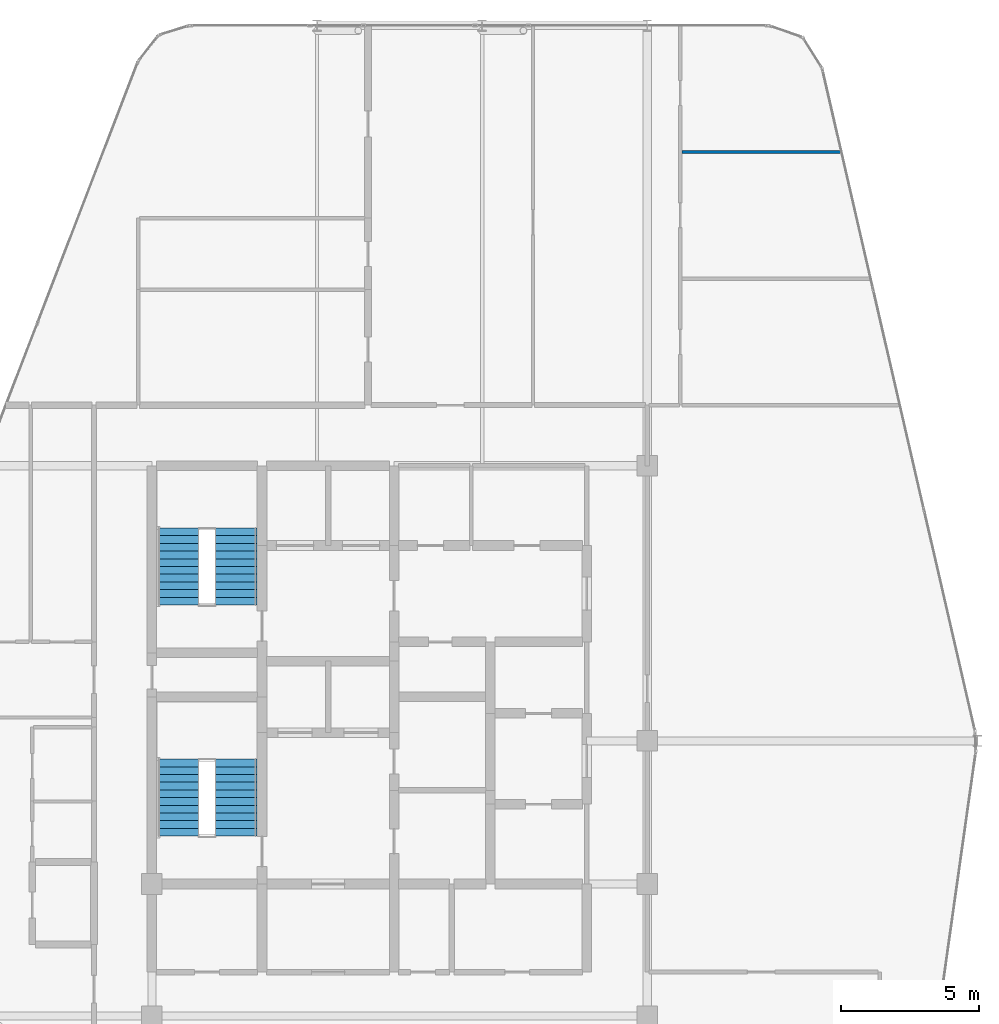
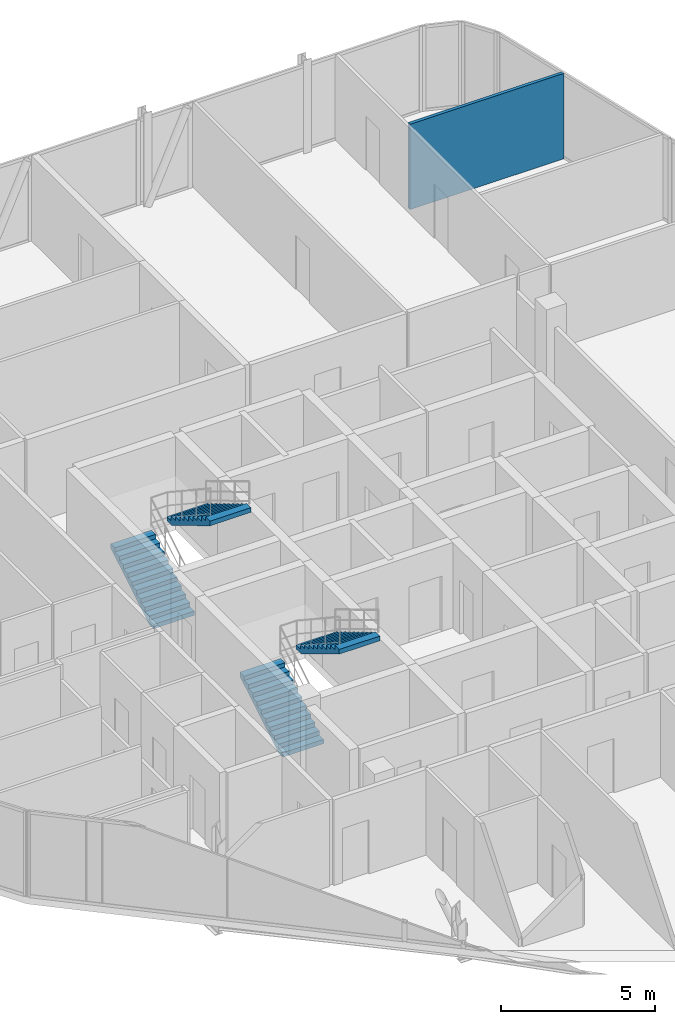
# One storey, part 26 of 27: 4 stair flights, 1 wall, 2 elements without a shape of their own.
"""IFC4 building model written with IfcOpenShell, lengths in metres."""

from ifc_helpers import new_model, si_unit, direction, frame, frame_2d, origin, place, context, subcontext, project, spatial, polyline, rectangle, outline, extrude, material, layer, layer_set, type_object, element, aggregate, save


model = new_model("IFC4")

# Units and contexts
model_context = context("Model", 3, precision=1e-05, world=origin(), true_north=direction((0.0, 1.0)))
body_context = subcontext(model_context, "Body", "Model", "MODEL_VIEW")
ifc_project = project(units=[si_unit("LENGTHUNIT", "METRE"), si_unit("AREAUNIT", "SQUARE_METRE"), si_unit("VOLUMEUNIT", "CUBIC_METRE"), si_unit("PLANEANGLEUNIT", "RADIAN"), si_unit("MASSUNIT", "GRAM", prefix="KILO")], contexts=[model_context])

# Site, building, storey
site_placement = place(None, origin())
site = spatial("IfcSite", under=ifc_project, at=site_placement, CompositionType="ELEMENT")
building_placement = place(site_placement, origin())
building = spatial("IfcBuilding", under=site, at=building_placement, Name="Keshet Zoharim Tower", CompositionType="ELEMENT")
storey_placement = place(building_placement, frame((0.0, 0.0, 247.300048828125)))
storey = spatial("IfcBuildingStorey", under=building, at=storey_placement, Name="L61", CompositionType="ELEMENT", Elevation=247.300048828125)

# Wall
ifc_material_1 = material(Name="Gypsum Plasterboard", Category="gypsum")
ifc_layer = layer(ifc_material_1, 0.1201171875)
ifc_layer_set = layer_set([ifc_layer], Name="Gypsum Plasterboard")
wall_type = type_object("IfcWallType", Name="WL-PART-120", PredefinedType="PARTITIONING", material=ifc_layer_set)
wall_placement = place(storey_placement, frame((34.264892578125, 49.300048828125, 0.0), z_axis=(0.0, 0.0, 1.0), x_axis=(1.0, 0.0, 0.0)))
element("IfcWall", 1, at=wall_placement, inside=storey, type_object=wall_type, Name="L61 Interior Wall 143", PredefinedType="PARTITIONING", context=body_context, shape_type="SweptSolid", body=[
    extrude(rectangle(XDim=5.787109375, YDim=0.1201171875, at=frame_2d((2.8935546875, 0.0))), origin(), (0.0, 0.0, 1.0), 3.389892578125),
])

# Stair, stair flights
ifc_material_2 = material(Name="Concrete C50/60", Category="concrete")
stair_type = type_object("IfcStairType", Name="STR-EXIT-135", PredefinedType="HALF_TURN_STAIR", material=ifc_material_2)
stair_1_placement = place(storey_placement, origin())
stair_1 = element("IfcStair", 2, at=stair_1_placement, inside=storey, type_object=stair_type, Name="L61 Enclosed Exit Stair ST-01", PredefinedType="HALF_TURN_STAIR")
stair_flight_type = type_object("IfcStairFlightType", Name="FLT-PRE-135", PredefinedType="STRAIGHT", material=ifc_material_2)
stair_flight_1_placement = place(storey_placement, frame((15.945068359375, 24.43994140625, 0.0), z_axis=(0.0, 0.0, 1.0), x_axis=(0.0, 1.0, 0.0)))
stair_flight_1 = element("IfcStairFlight", 3, at=stair_flight_1_placement, type_object=stair_flight_type, Name="ST-01 flight 1", NumberOfRisers=11, NumberOfTreads=10, PredefinedType="STRAIGHT", RiserHeight=0.168182, TreadLength=0.28, context=body_context, shape_type="SweptSolid", body=[
    extrude(outline(polyline([(0.0, 0.0), (0.0, 0.168212890625), (0.280029296875, 0.168212890625), (0.280029296875, 0.33642578125), (0.56005859375, 0.33642578125), (0.56005859375, 0.504638671875), (0.840087890625, 0.504638671875), (0.840087890625, 0.672607421875), (1.1201171875, 0.672607421875), (1.1201171875, 0.8408203125), (1.39990234375, 0.8408203125), (1.39990234375, 1.009033203125), (1.679931640625, 1.009033203125), (1.679931640625, 1.17724609375), (1.9599609375, 1.17724609375), (1.9599609375, 1.345458984375), (2.239990234375, 1.345458984375), (2.239990234375, 1.513671875), (2.52001953125, 1.513671875), (2.52001953125, 1.681884765625), (2.800048828125, 1.681884765625), (2.800048828125, 1.85009765625), (2.800048828125, 1.495361328125), (0.310546875, 0.0), (0.0, 0.0)])), frame((0.0, 0.76513671875, 0.0), z_axis=(0.0, -1.0, 0.0), x_axis=(1.0, 0.0, 0.0)), (0.0, 0.0, 1.0), 1.530029296875),
])
stair_flight_2_placement = place(storey_placement, frame((18.054931640625, 27.239990234375, 1.849853515625), z_axis=(0.0, 0.0, 1.0), x_axis=(0.0, -1.0, 0.0)))
stair_flight_2 = element("IfcStairFlight", 4, at=stair_flight_2_placement, type_object=stair_flight_type, Name="ST-01 flight 2", NumberOfRisers=11, NumberOfTreads=10, PredefinedType="STRAIGHT", RiserHeight=0.168182, TreadLength=0.28, context=body_context, shape_type="SweptSolid", body=[
    extrude(outline(polyline([(0.0, 0.0), (0.0, 0.168212890625), (0.280029296875, 0.168212890625), (0.280029296875, 0.33642578125), (0.56005859375, 0.33642578125), (0.56005859375, 0.504638671875), (0.840087890625, 0.504638671875), (0.840087890625, 0.672607421875), (1.1201171875, 0.672607421875), (1.1201171875, 0.8408203125), (1.39990234375, 0.8408203125), (1.39990234375, 1.009033203125), (1.679931640625, 1.009033203125), (1.679931640625, 1.17724609375), (1.9599609375, 1.17724609375), (1.9599609375, 1.345458984375), (2.239990234375, 1.345458984375), (2.239990234375, 1.513671875), (2.52001953125, 1.513671875), (2.52001953125, 1.681884765625), (2.800048828125, 1.681884765625), (2.800048828125, 1.85009765625), (2.800048828125, 1.495361328125), (0.310546875, 0.0), (0.0, 0.0)])), frame((0.0, 0.76513671875, 0.0), z_axis=(0.0, -1.0, 0.0), x_axis=(1.0, 0.0, 0.0)), (0.0, 0.0, 1.0), 1.530029296875),
])
aggregate(stair_1, [stair_flight_1, stair_flight_2])

stair_2_placement = place(storey_placement, origin())
stair_2 = element("IfcStair", 5, at=stair_2_placement, inside=storey, type_object=stair_type, Name="L61 Enclosed Exit Stair ST-02", PredefinedType="HALF_TURN_STAIR")
stair_flight_3_placement = place(storey_placement, frame((15.945068359375, 32.840087890625, 0.0), z_axis=(0.0, 0.0, 1.0), x_axis=(0.0, 1.0, 0.0)))
stair_flight_3 = element("IfcStairFlight", 6, at=stair_flight_3_placement, type_object=stair_flight_type, Name="ST-02 flight 1", NumberOfRisers=11, NumberOfTreads=10, PredefinedType="STRAIGHT", RiserHeight=0.168182, TreadLength=0.28, context=body_context, shape_type="SweptSolid", body=[
    extrude(outline(polyline([(0.0, 0.0), (0.0, 0.168212890625), (0.280029296875, 0.168212890625), (0.280029296875, 0.33642578125), (0.56005859375, 0.33642578125), (0.56005859375, 0.504638671875), (0.840087890625, 0.504638671875), (0.840087890625, 0.672607421875), (1.1201171875, 0.672607421875), (1.1201171875, 0.8408203125), (1.39990234375, 0.8408203125), (1.39990234375, 1.009033203125), (1.679931640625, 1.009033203125), (1.679931640625, 1.17724609375), (1.9599609375, 1.17724609375), (1.9599609375, 1.345458984375), (2.239990234375, 1.345458984375), (2.239990234375, 1.513671875), (2.52001953125, 1.513671875), (2.52001953125, 1.681884765625), (2.800048828125, 1.681884765625), (2.800048828125, 1.85009765625), (2.800048828125, 1.495361328125), (0.310546875, 0.0), (0.0, 0.0)])), frame((0.0, 0.76513671875, 0.0), z_axis=(0.0, -1.0, 0.0), x_axis=(1.0, 0.0, 0.0)), (0.0, 0.0, 1.0), 1.530029296875),
])
stair_flight_4_placement = place(storey_placement, frame((18.054931640625, 35.639892578125, 1.849853515625), z_axis=(0.0, 0.0, 1.0), x_axis=(0.0, -1.0, 0.0)))
stair_flight_4 = element("IfcStairFlight", 7, at=stair_flight_4_placement, type_object=stair_flight_type, Name="ST-02 flight 2", NumberOfRisers=11, NumberOfTreads=10, PredefinedType="STRAIGHT", RiserHeight=0.168182, TreadLength=0.28, context=body_context, shape_type="SweptSolid", body=[
    extrude(outline(polyline([(0.0, 0.0), (0.0, 0.168212890625), (0.280029296875, 0.168212890625), (0.280029296875, 0.33642578125), (0.56005859375, 0.33642578125), (0.56005859375, 0.504638671875), (0.840087890625, 0.504638671875), (0.840087890625, 0.672607421875), (1.1201171875, 0.672607421875), (1.1201171875, 0.8408203125), (1.39990234375, 0.8408203125), (1.39990234375, 1.009033203125), (1.679931640625, 1.009033203125), (1.679931640625, 1.17724609375), (1.9599609375, 1.17724609375), (1.9599609375, 1.345458984375), (2.239990234375, 1.345458984375), (2.239990234375, 1.513671875), (2.52001953125, 1.513671875), (2.52001953125, 1.681884765625), (2.800048828125, 1.681884765625), (2.800048828125, 1.85009765625), (2.800048828125, 1.495361328125), (0.310546875, 0.0), (0.0, 0.0)])), frame((0.0, 0.76513671875, 0.0), z_axis=(0.0, -1.0, 0.0), x_axis=(1.0, 0.0, 0.0)), (0.0, 0.0, 1.0), 1.530029296875),
])
aggregate(stair_2, [stair_flight_3, stair_flight_4])

save(model, "model.ifc")
